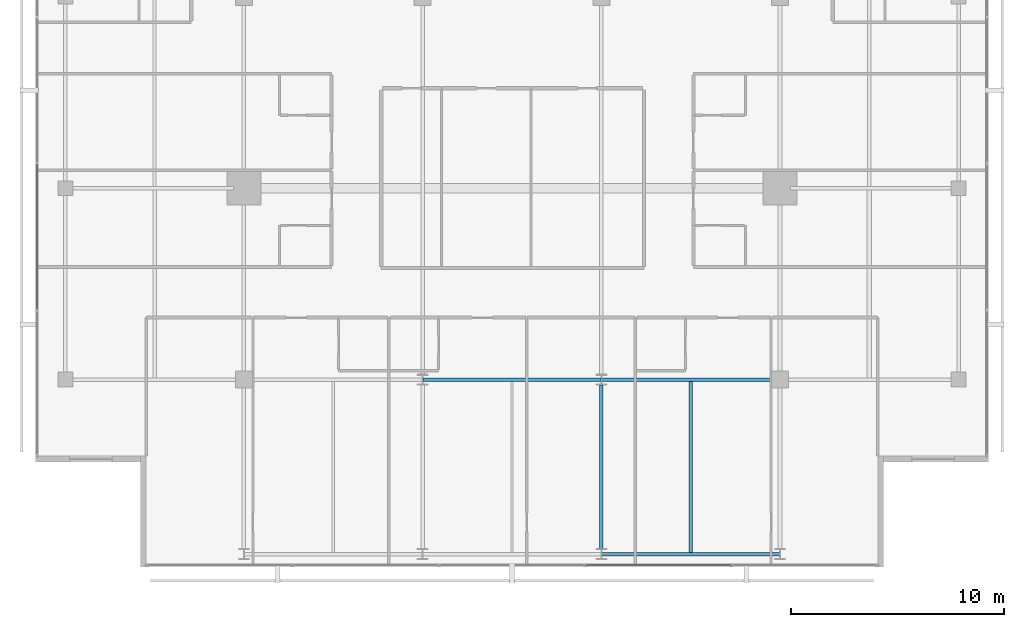
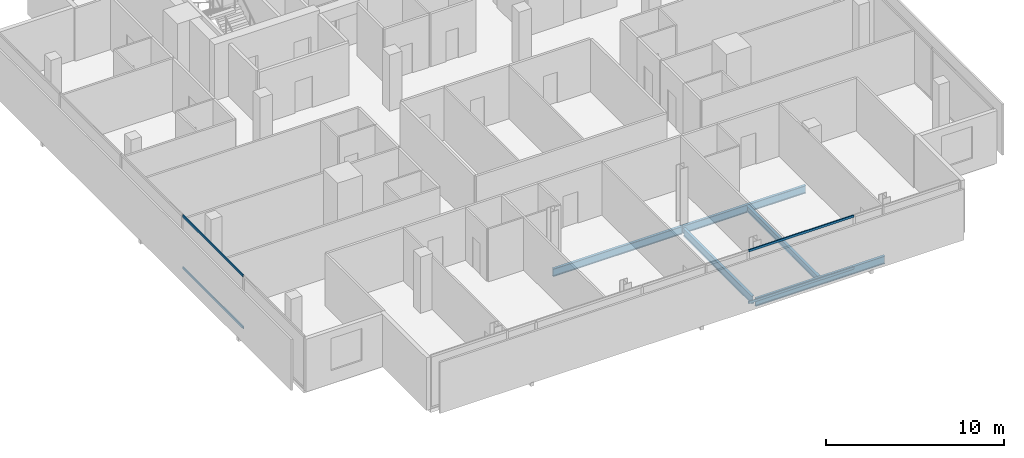
# One storey, part 7 of 26: 5 beams, 4 members, 2 elements without a shape of their own.
"""IFC4 building model written with IfcOpenShell, lengths in metres."""

from ifc_helpers import new_model, si_unit, direction, frame, origin, origin_2d, place, context, subcontext, project, spatial, hollow_rectangle, i_section, extrude, material, layer, layer_set, material_profile, profile_set, type_object, element, aggregate, save


model = new_model("IFC4")

# Units and contexts
model_context = context("Model", 3, precision=1e-05, world=origin(), true_north=direction((0.0, 1.0)))
body_context = subcontext(model_context, "Body", "Model", "MODEL_VIEW")
ifc_project = project(units=[si_unit("LENGTHUNIT", "METRE"), si_unit("AREAUNIT", "SQUARE_METRE"), si_unit("VOLUMEUNIT", "CUBIC_METRE"), si_unit("PLANEANGLEUNIT", "RADIAN"), si_unit("MASSUNIT", "GRAM", prefix="KILO")], contexts=[model_context])

# Site, building, storey
site_placement = place(None, origin())
site = spatial("IfcSite", under=ifc_project, at=site_placement, CompositionType="ELEMENT")
building_placement = place(site_placement, origin())
building = spatial("IfcBuilding", under=site, at=building_placement, Name="Maruvema Waterfront Hotel and Observation Tower", CompositionType="ELEMENT")
storey_placement = place(building_placement, frame((0.0, 0.0, 301.0)))
storey = spatial("IfcBuildingStorey", under=building, at=storey_placement, Name="L74", CompositionType="ELEMENT", Elevation=301.0)

# Curtain wall, members
ifc_material_1 = material(Name="Anodised bronze aluminium and solar-control low-E IGU", Category="aluminium")
ifc_layer = layer(ifc_material_1, 0.159912109375, Name="Zone 3 Champagne Inner Thermal Curtain Wall System CW-04")
ifc_layer_set = layer_set([ifc_layer], Name="Anodised bronze aluminium and solar-control low-E IGU")
curtain_wall_type = type_object("IfcCurtainWallType", Name="Zone 3 Champagne Inner Thermal Curtain Wall System CW-04", PredefinedType="USERDEFINED", material=ifc_layer_set)
curtain_wall_1_placement = place(storey_placement, origin())
curtain_wall_1 = element("IfcCurtainWall", 1, at=curtain_wall_1_placement, inside=storey, type_object=curtain_wall_type, Name="L74 Curtain Wall CW-L74-S", ObjectType="UNITISED CURTAIN WALL", PredefinedType="USERDEFINED")
ifc_material_2 = material(Name="Anodised architectural bronze aluminium", Category="aluminium")
ifc_material_profile_1 = material_profile(ifc_material_2, hollow_rectangle(XDim=0.070068359375, YDim=0.14990234375, WallThickness=0.00390625, at=origin_2d()), Name="ALU-T70x150")
ifc_profile_set_1 = profile_set([ifc_material_profile_1], Name="Anodised architectural bronze aluminium")
member_type = type_object("IfcMemberType", Name="Curtain Wall Horizontal Transom ALU-T70x150", PredefinedType="USERDEFINED", material=ifc_profile_set_1)
member_1_placement = place(storey_placement, frame((41.27001953125, 9.280029296875, 0.030029296875), z_axis=(1.0, 0.0, 0.0), x_axis=(0.0, 1.0, 0.0)))
member_1 = element("IfcMember", 2, at=member_1_placement, type_object=member_type, Name="CW-04 transom 4.1", ObjectType="TRANSOM", PredefinedType="USERDEFINED", context=body_context, shape_type="SweptSolid", body=[
    extrude(hollow_rectangle(XDim=0.070068359375, YDim=0.14990234375, WallThickness=0.00390625, at=origin_2d()), origin(), (0.0, 0.0, 1.0), 6.820068359375),
])
member_2_placement = place(storey_placement, frame((41.27001953125, 9.280029296875, 3.580078125), z_axis=(1.0, 0.0, 0.0), x_axis=(0.0, 1.0, 0.0)))
member_2 = element("IfcMember", 3, at=member_2_placement, type_object=member_type, Name="CW-04 transom 4.2", ObjectType="TRANSOM", PredefinedType="USERDEFINED", context=body_context, shape_type="SweptSolid", body=[
    extrude(hollow_rectangle(XDim=0.070068359375, YDim=0.14990234375, WallThickness=0.00390625, at=origin_2d()), origin(), (0.0, 0.0, 1.0), 6.820068359375),
])
aggregate(curtain_wall_1, [member_1, member_2])

curtain_wall_2_placement = place(storey_placement, origin())
curtain_wall_2 = element("IfcCurtainWall", 4, at=curtain_wall_2_placement, inside=storey, type_object=curtain_wall_type, Name="L74 Curtain Wall CW-L74-W", ObjectType="UNITISED CURTAIN WALL", PredefinedType="USERDEFINED")
member_3_placement = place(storey_placement, frame((15.47998046875, 28.1298828125, 0.030029296875), z_axis=(0.0, -1.0, 0.0), x_axis=(1.0, 0.0, 0.0)))
member_3 = element("IfcMember", 5, at=member_3_placement, type_object=member_type, Name="CW-04 transom 4.1", ObjectType="TRANSOM", PredefinedType="USERDEFINED", context=body_context, shape_type="SweptSolid", body=[
    extrude(hollow_rectangle(XDim=0.070068359375, YDim=0.14990234375, WallThickness=0.00390625, at=origin_2d()), origin(), (0.0, 0.0, 1.0), 6.81982421875),
])
member_4_placement = place(storey_placement, frame((15.47998046875, 28.1298828125, 3.580078125), z_axis=(0.0, -1.0, 0.0), x_axis=(1.0, 0.0, 0.0)))
member_4 = element("IfcMember", 6, at=member_4_placement, type_object=member_type, Name="CW-04 transom 4.2", ObjectType="TRANSOM", PredefinedType="USERDEFINED", context=body_context, shape_type="SweptSolid", body=[
    extrude(hollow_rectangle(XDim=0.070068359375, YDim=0.14990234375, WallThickness=0.00390625, at=origin_2d()), origin(), (0.0, 0.0, 1.0), 6.81982421875),
])
aggregate(curtain_wall_2, [member_3, member_4])

# Beams
ifc_material_3 = material(Name="Steel ASTM A572 Grade 50", Category="steel")
ifc_material_profile_2 = material_profile(ifc_material_3, i_section(OverallWidth=0.166015625, OverallDepth=0.529052734375, WebThickness=0.009765625, FlangeThickness=0.013671875, FilletRadius=0.014892578125, at=origin_2d()), Name="W530x74.0")
ifc_profile_set_2 = profile_set([ifc_material_profile_2], Name="Steel ASTM A572 Grade 50")
beam_type_1 = type_object("IfcBeamType", Name="Primary Floor Girder W530x74.0", PredefinedType="BEAM", material=ifc_profile_set_2)
for number, where, z_axis, x_axis, name in (
    (7, (42.010986328125, 9.800048828125, -0.50439453125), (1.0, 0.0, 0.0), (0.0, 1.0, 0.0), "L74 Floor Girder EW-03"),
    (8, (33.611083984375, 18.0, -0.50439453125), (1.0, 0.0, 0.0), (0.0, 1.0, 0.0), "L74 Floor Girder EW-06"),
):
    element("IfcBeam", number, at=place(storey_placement, frame(where, z_axis=z_axis, x_axis=x_axis)), inside=storey, type_object=beam_type_1, Name=name, PredefinedType="BEAM", context=body_context, shape_type="SweptSolid", body=[
        extrude(i_section(OverallWidth=0.166015625, OverallDepth=0.529052734375, WebThickness=0.009765625, FlangeThickness=0.013671875, FilletRadius=0.014892578125, at=origin_2d()), origin(), (0.0, 0.0, 1.0), 8.3779296875),
    ])
beam_1_placement = place(storey_placement, frame((42.010986328125, 18.0, -0.50439453125), z_axis=(1.0, 0.0, 0.0), x_axis=(0.0, 1.0, 0.0)))
element("IfcBeam", 9, at=beam_1_placement, inside=storey, type_object=beam_type_1, Name="L74 Floor Girder EW-07", PredefinedType="BEAM", context=body_context, shape_type="SweptSolid", body=[
    extrude(i_section(OverallWidth=0.166015625, OverallDepth=0.529052734375, WebThickness=0.009765625, FlangeThickness=0.013671875, FilletRadius=0.014892578125, at=origin_2d()), origin(), (0.0, 0.0, 1.0), 7.989013671875),
])
beam_2_placement = place(storey_placement, frame((42.0, 10.050048828125, -0.50439453125), z_axis=(0.0, 1.0, 0.0), x_axis=(-1.0, 0.0, 0.0)))
element("IfcBeam", 10, at=beam_2_placement, inside=storey, type_object=beam_type_1, Name="L74 Floor Girder NS-10", PredefinedType="BEAM", context=body_context, shape_type="SweptSolid", body=[
    extrude(i_section(OverallWidth=0.166015625, OverallDepth=0.529052734375, WebThickness=0.009765625, FlangeThickness=0.013671875, FilletRadius=0.014892578125, at=origin_2d()), origin(), (0.0, 0.0, 1.0), 7.699951171875),
])
ifc_material_4 = material(Name="Steel ASTM A572 Grade 50", Category="steel")
ifc_material_profile_3 = material_profile(ifc_material_4, i_section(OverallWidth=0.177001953125, OverallDepth=0.403076171875, WebThickness=0.007568359375, FlangeThickness=0.010986328125, FilletRadius=0.014892578125, at=origin_2d()), Name="W410x53.0")
ifc_profile_set_3 = profile_set([ifc_material_profile_3], Name="Steel ASTM A572 Grade 50")
beam_type_2 = type_object("IfcBeamType", Name="Secondary Floor Joist W410x53.0", PredefinedType="JOIST", material=ifc_profile_set_3)
beam_3_placement = place(storey_placement, frame((46.199951171875, 9.883056640625, -0.44140625), z_axis=(0.0, 1.0, 0.0), x_axis=(-1.0, 0.0, 0.0)))
element("IfcBeam", 11, at=beam_3_placement, inside=storey, type_object=beam_type_2, Name="L74 Secondary Floor Joist JS-06", PredefinedType="JOIST", context=body_context, shape_type="SweptSolid", body=[
    extrude(i_section(OverallWidth=0.177001953125, OverallDepth=0.403076171875, WebThickness=0.007568359375, FlangeThickness=0.010986328125, FilletRadius=0.014892578125, at=origin_2d()), origin(), (0.0, 0.0, 1.0), 8.033935546875),
])

save(model, "model.ifc")
